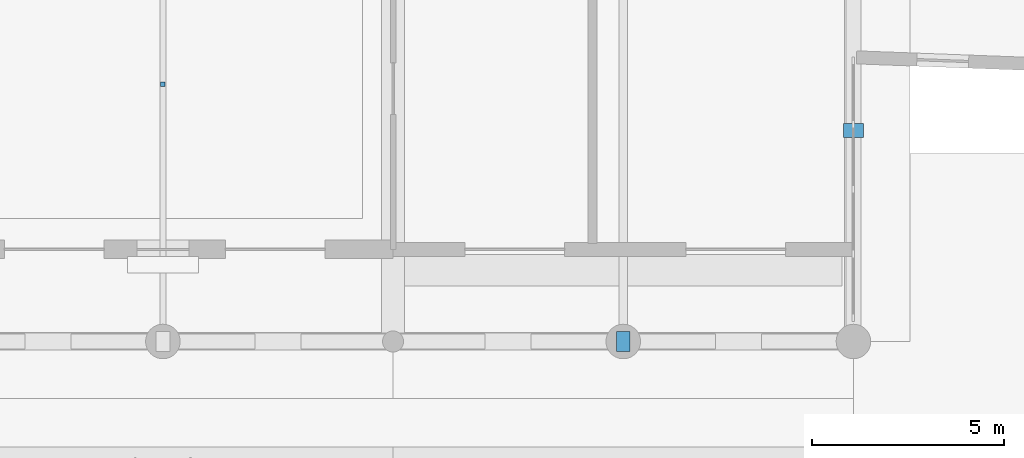
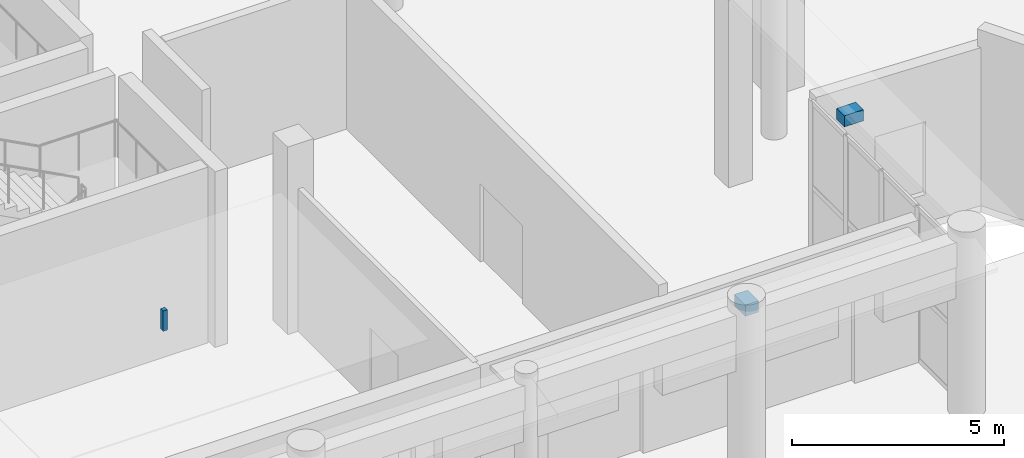
# One storey, part 75 of 120: 3 discrete accessories.
"""IFC4 building model written with IfcOpenShell, lengths in metres."""

from ifc_helpers import new_model, si_unit, direction, frame, origin, origin_2d, place, context, subcontext, project, spatial, rectangle, extrude, material, layer, layer_set, type_object, element, save


model = new_model("IFC4")

# Units and contexts
model_context = context("Model", 3, precision=1e-05, world=origin(), true_north=direction((0.0, 1.0)))
body_context = subcontext(model_context, "Body", "Model", "MODEL_VIEW")
ifc_project = project(units=[si_unit("LENGTHUNIT", "METRE"), si_unit("AREAUNIT", "SQUARE_METRE"), si_unit("VOLUMEUNIT", "CUBIC_METRE"), si_unit("PLANEANGLEUNIT", "RADIAN"), si_unit("MASSUNIT", "GRAM", prefix="KILO")], contexts=[model_context])

# Site, building, storey
site_placement = place(None, origin())
site = spatial("IfcSite", under=ifc_project, at=site_placement, CompositionType="ELEMENT")
building_placement = place(site_placement, origin())
building = spatial("IfcBuilding", under=site, at=building_placement, Name="Luwafu Chhajja Arena", CompositionType="ELEMENT")
storey_placement = place(building_placement, origin())
storey = spatial("IfcBuildingStorey", under=building, at=storey_placement, Name="L00", CompositionType="ELEMENT", Elevation=0.0)

# Discrete accessories
ifc_material = material(Name="Stainless steel bracket", Category="steel")
ifc_layer = layer(ifc_material, 0.179931640625, Name="Stainless steel bracket")
ifc_layer_set = layer_set([ifc_layer], Name="Stainless steel bracket")
discrete_accessory_type = type_object("IfcDiscreteAccessoryType", Name="Stainless Steel Facade Support Bracket", PredefinedType="BRACKET", material=ifc_layer_set)
for number, where, z_axis, x_axis, name in (
    (1, (52.0, 0.0, 4.97998046875), (0.0, 0.0, 1.0), (1.0, 0.0, 0.0), "L00 Chhajja Eave Support Bracket 0085"),
    (2, (58.0, 5.5, 4.97998046875), (0.0, 0.0, 1.0), (0.0, 1.0, 0.0), "L00 Chhajja Eave Support Bracket 0086"),
):
    element("IfcDiscreteAccessory", number, at=place(storey_placement, frame(where, z_axis=z_axis, x_axis=x_axis)), inside=storey, type_object=discrete_accessory_type, Name=name, PredefinedType="BRACKET", context=body_context, shape_type="SweptSolid", body=[
        extrude(rectangle(XDim=0.360107421875, YDim=0.52001953125, at=origin_2d()), origin(), (0.0, 0.0, 1.0), 0.320068359375),
    ])
discrete_accessory_placement = place(storey_placement, frame((40.0, 6.699951171875, 4.519287109375), z_axis=(0.0, 0.0, 1.0), x_axis=(1.0, 0.0, 0.0)))
element("IfcDiscreteAccessory", 3, at=discrete_accessory_placement, inside=storey, type_object=discrete_accessory_type, Name="L00 Ceiling Suspension Hanger 004", PredefinedType="BRACKET", context=body_context, shape_type="SweptSolid", body=[
    extrude(rectangle(XDim=0.1201171875, YDim=0.1201171875, at=origin_2d()), origin(), (0.0, 0.0, 1.0), 0.5908203125),
])

save(model, "model.ifc")
